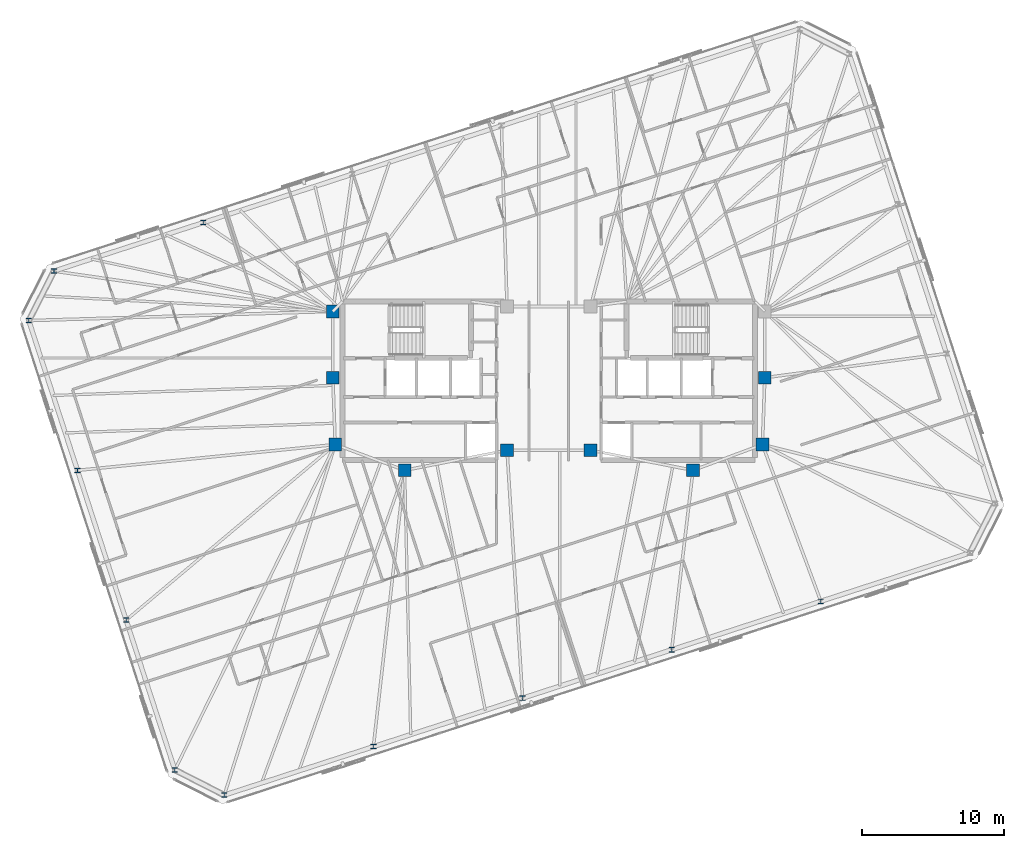
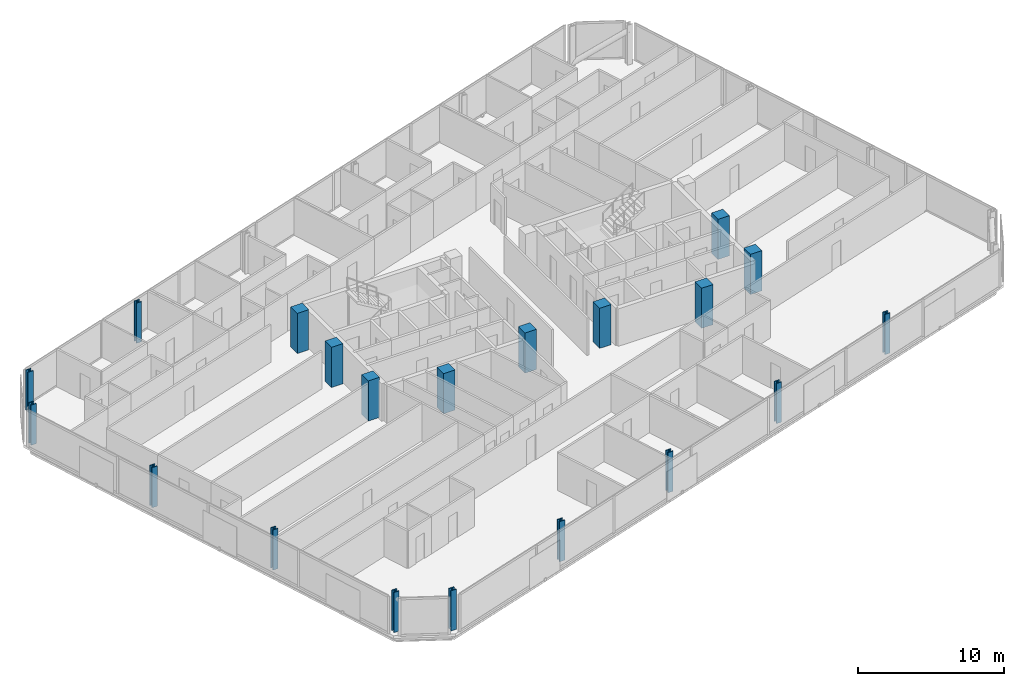
# One storey, part 1 of 20: 20 columns.
"""IFC4 building model written with IfcOpenShell, lengths in metres."""

from ifc_helpers import new_model, si_unit, direction, frame, origin, origin_2d, place, context, subcontext, project, spatial, rectangle, i_section, extrude, material, material_profile, profile_set, type_object, element, save


model = new_model("IFC4")

# Units and contexts
model_context = context("Model", 3, precision=1e-05, world=origin(), true_north=direction((0.0, 1.0)))
body_context = subcontext(model_context, "Body", "Model", "MODEL_VIEW")
ifc_project = project(units=[si_unit("LENGTHUNIT", "METRE"), si_unit("AREAUNIT", "SQUARE_METRE"), si_unit("VOLUMEUNIT", "CUBIC_METRE"), si_unit("PLANEANGLEUNIT", "RADIAN"), si_unit("MASSUNIT", "GRAM", prefix="KILO")], contexts=[model_context])

# Site, building, storey
site_placement = place(None, origin())
site = spatial("IfcSite", under=ifc_project, at=site_placement, CompositionType="ELEMENT")
building_placement = place(site_placement, origin())
building = spatial("IfcBuilding", under=site, at=building_placement, Name="Menara Jurai Vektor", CompositionType="ELEMENT")
storey_placement = place(building_placement, frame((0.0, 0.0, 224.300048828125)))
storey = spatial("IfcBuildingStorey", under=building, at=storey_placement, Name="L59", CompositionType="ELEMENT", Elevation=224.300048828125)

# Columns
ifc_material_1 = material(Name="Concrete C50/60", Category="concrete")
ifc_material_profile_1 = material_profile(ifc_material_1, rectangle(XDim=0.89990234375, YDim=0.89990234375, at=origin_2d()), Name="RC 900x900")
ifc_profile_set_1 = profile_set([ifc_material_profile_1], Name="Concrete C50/60")
column_type_1 = type_object("IfcColumnType", Name="STR-COL-RC900", PredefinedType="COLUMN", material=ifc_profile_set_1)
for number, where, z_axis, x_axis, name in (
    (1, (-15.25, 4.89990234375, 0.0), (0.0, 0.0, 1.0), (1.0, 0.0, 0.0), "Core Spine Column CW-NW L59"),
    (2, (-15.25, 0.219970703125, 0.0), (0.0, 0.0, 1.0), (1.0, 0.0, 0.0), "Core Spine Column CW-WM L59"),
    (3, (-15.080078125, -4.5, 0.0), (0.0, 0.0, 1.0), (1.0, 0.0, 0.0), "Core Spine Column CW-SW L59"),
    (4, (-10.179931640625, -6.320068359375, 0.0), (0.0, 0.0, 1.0), (1.0, 0.0, 0.0), "Core Spine Column CW-SM L59"),
    (5, (-2.949951171875, -4.89990234375, 0.0), (0.0, 0.0, 1.0), (1.0, 0.0, 0.0), "Core Spine Column CW-SE L59"),
    (6, (15.25, 0.219970703125, 0.0), (0.0, 0.0, 1.0), (1.0, 0.0, 0.0), "Core Spine Column CE-EM L59"),
    (7, (15.080078125, -4.5, 0.0), (0.0, 0.0, 1.0), (1.0, 0.0, 0.0), "Core Spine Column CE-SE L59"),
    (8, (10.179931640625, -6.320068359375, 0.0), (0.0, 0.0, 1.0), (1.0, 0.0, 0.0), "Core Spine Column CE-SM L59"),
    (9, (2.949951171875, -4.89990234375, 0.0), (0.0, 0.0, 1.0), (1.0, 0.0, 0.0), "Core Spine Column CE-SW L59"),
):
    element("IfcColumn", number, at=place(storey_placement, frame(where, z_axis=z_axis, x_axis=x_axis)), inside=storey, type_object=column_type_1, Name=name, PredefinedType="COLUMN", context=body_context, shape_type="SweptSolid", body=[
        extrude(rectangle(XDim=0.89990234375, YDim=0.89990234375, at=origin_2d()), origin(), (0.0, 0.0, 1.0), 3.349853515625),
    ])
ifc_material_2 = material(Name="Steel S460", Category="steel")
ifc_material_profile_2 = material_profile(ifc_material_2, i_section(OverallWidth=0.405029296875, OverallDepth=0.35498046875, WebThickness=0.0419921875, FlangeThickness=0.068115234375, FilletRadius=0.014892578125, at=origin_2d()), Name="HD 400x551")
ifc_profile_set_2 = profile_set([ifc_material_profile_2], Name="Steel S460")
column_type_2 = type_object("IfcColumnType", Name="STR-EXO-BLK4", PredefinedType="COLUMN", material=ifc_profile_set_2)
for number, where, z_axis, x_axis, name in (
    (10, (-22.912841796875, -29.2509765625, 0.0), (0.0, 0.0, 1.0), (1.0, 0.0, 0.0), "Exoskeleton Column BLK4-S1 L59"),
    (11, (-12.383544921875, -25.829833984375, 0.0), (0.0, 0.0, 1.0), (1.0, 0.0, 0.0), "Exoskeleton Column BLK4-S2 L59"),
    (12, (-1.854248046875, -22.40869140625, 0.0), (0.0, 0.0, 1.0), (1.0, 0.0, 0.0), "Exoskeleton Column BLK4-S3 L59"),
    (13, (8.675048828125, -18.987548828125, 0.0), (0.0, 0.0, 1.0), (1.0, 0.0, 0.0), "Exoskeleton Column BLK4-S4 L59"),
    (14, (19.204345703125, -15.56640625, 0.0), (0.0, 0.0, 1.0), (1.0, 0.0, 0.0), "Exoskeleton Column BLK4-S5 L59"),
    (15, (-24.404296875, 11.166259765625, 0.0), (0.0, 0.0, 1.0), (1.0, 0.0, 0.0), "Exoskeleton Column BLK4-N5 L59"),
    (16, (-34.93359375, 7.7451171875, 0.0), (0.0, 0.0, 1.0), (1.0, 0.0, 0.0), "Exoskeleton Column BLK4-N6 L59"),
    (17, (-36.71337890625, 4.251953125, 0.0), (0.0, 0.0, 1.0), (1.0, 0.0, 0.0), "Exoskeleton Column BLK4-W1 L59"),
    (18, (-33.277587890625, -6.322265625, 0.0), (0.0, 0.0, 1.0), (1.0, 0.0, 0.0), "Exoskeleton Column BLK4-W2 L59"),
    (19, (-29.841796875, -16.896728515625, 0.0), (0.0, 0.0, 1.0), (1.0, 0.0, 0.0), "Exoskeleton Column BLK4-W3 L59"),
    (20, (-26.406005859375, -27.47119140625, 0.0), (0.0, 0.0, 1.0), (1.0, 0.0, 0.0), "Exoskeleton Column BLK4-W4 L59"),
):
    element("IfcColumn", number, at=place(storey_placement, frame(where, z_axis=z_axis, x_axis=x_axis)), inside=storey, type_object=column_type_2, Name=name, PredefinedType="COLUMN", context=body_context, shape_type="SweptSolid", body=[
        extrude(i_section(OverallWidth=0.405029296875, OverallDepth=0.35498046875, WebThickness=0.0419921875, FlangeThickness=0.068115234375, FilletRadius=0.014892578125, at=origin_2d()), origin(), (0.0, 0.0, 1.0), 3.349853515625),
    ])

save(model, "model.ifc")
